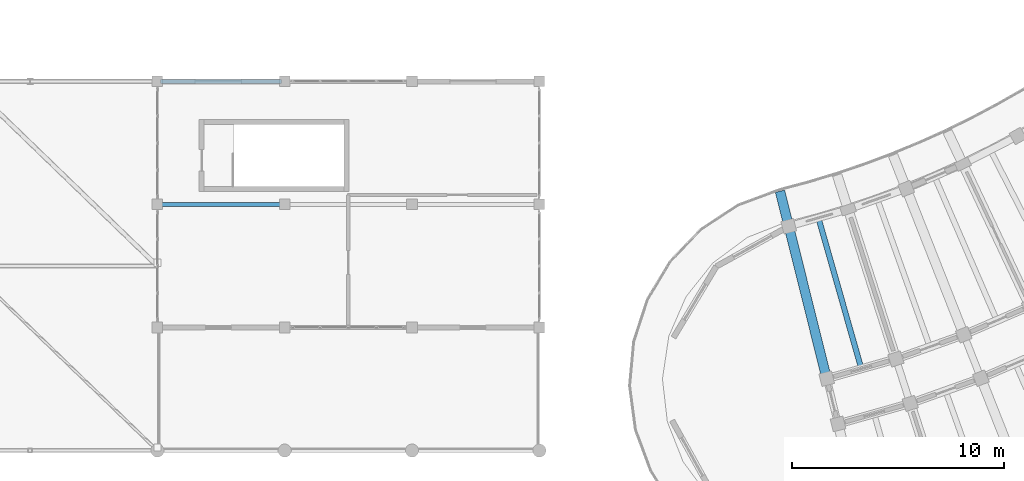
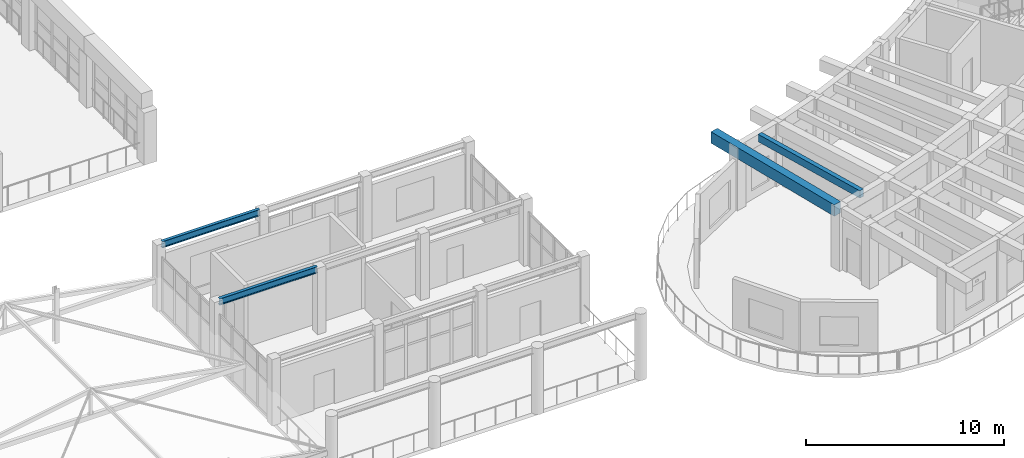
# One storey, part 25 of 128: 4 beams.
"""IFC4 building model written with IfcOpenShell, lengths in metres."""

from ifc_helpers import new_model, si_unit, direction, frame, origin, origin_2d, place, context, subcontext, project, spatial, rectangle, i_section, extrude, material, material_profile, profile_set, type_object, element, save


model = new_model("IFC4")

# Units and contexts
model_context = context("Model", 3, precision=1e-05, world=origin(), true_north=direction((0.0, 1.0)))
body_context = subcontext(model_context, "Body", "Model", "MODEL_VIEW")
ifc_project = project(units=[si_unit("LENGTHUNIT", "METRE"), si_unit("AREAUNIT", "SQUARE_METRE"), si_unit("VOLUMEUNIT", "CUBIC_METRE"), si_unit("PLANEANGLEUNIT", "RADIAN"), si_unit("MASSUNIT", "GRAM", prefix="KILO")], contexts=[model_context])

# Site, building, storey
site_placement = place(None, origin())
site = spatial("IfcSite", under=ifc_project, at=site_placement, CompositionType="ELEMENT")
building_placement = place(site_placement, origin())
building = spatial("IfcBuilding", under=site, at=building_placement, Name="Tanwirah Colonnade Gardens", CompositionType="ELEMENT")
storey_placement = place(building_placement, frame((0.0, 0.0, 4.760009765625)))
storey = spatial("IfcBuildingStorey", under=building, at=storey_placement, Name="L01", CompositionType="ELEMENT", Elevation=4.760009765625)

# Beams
ifc_material_1 = material(Name="Precast concrete C45/55", Category="concrete")
ifc_material_profile_1 = material_profile(ifc_material_1, rectangle(XDim=0.449951171875, YDim=0.699951171875, at=origin_2d()), Name="PC-BM 450x700")
ifc_profile_set_1 = profile_set([ifc_material_profile_1], Name="Precast concrete C45/55")
beam_type_1 = type_object("IfcBeamType", Name="BM-PC450", PredefinedType="BEAM", material=ifc_profile_set_1)
beam_1_placement = place(storey_placement, frame((133.50732421875, 14.335693359375, 3.47509765625), z_axis=(-0.241932243826, 0.970293146115, 0.0), x_axis=(-0.970293146115, -0.241932243826, 0.0)))
element("IfcBeam", 1, at=beam_1_placement, inside=storey, type_object=beam_type_1, Name="Block D L01 Inner Radial Precast Girder 0", PredefinedType="BEAM", context=body_context, shape_type="SweptSolid", body=[
    extrude(rectangle(XDim=0.449951171875, YDim=0.699951171875, at=origin_2d()), origin(), (0.0, 0.0, 1.0), 8.949951171875),
])
ifc_material_2 = material(Name="Precast concrete C40/50", Category="concrete")
ifc_material_profile_2 = material_profile(ifc_material_2, rectangle(XDim=0.2548828125, YDim=0.455078125, at=origin_2d()), Name="PC-JST 255x455")
ifc_profile_set_2 = profile_set([ifc_material_profile_2], Name="Precast concrete C40/50")
beam_type_2 = type_object("IfcBeamType", Name="JST-PC240", PredefinedType="JOIST", material=ifc_profile_set_2)
beam_2_placement = place(storey_placement, frame((133.191650390625, 21.6298828125, 3.597412109375), z_axis=(0.273532000762, -0.961862903204, 0.0), x_axis=(0.961862903204, 0.273532000762, 0.0)))
element("IfcBeam", 2, at=beam_2_placement, inside=storey, type_object=beam_type_2, Name="Block D L01 Inner Precast Floor Joist 0", PredefinedType="JOIST", context=body_context, shape_type="SweptSolid", body=[
    extrude(rectangle(XDim=0.2548828125, YDim=0.455078125, at=origin_2d()), origin(), (0.0, 0.0, 1.0), 7.159912109375),
])
ifc_material_3 = material(Name="Steel S355", Category="steel")
ifc_material_profile_3 = material_profile(ifc_material_3, i_section(OverallWidth=0.179931640625, OverallDepth=0.39990234375, WebThickness=0.008544921875, FlangeThickness=0.013427734375, at=origin_2d()), Name="IPE 400")
ifc_profile_set_3 = profile_set([ifc_material_profile_3], Name="Steel S355")
beam_type_3 = type_object("IfcBeamType", Name="SBM-IPE330", PredefinedType="BEAM", material=ifc_profile_set_3)
for number, where, z_axis, x_axis, name in (
    (3, (102.14990234375, 22.39990234375, 3.8798828125), (1.0, 0.0, 0.0), (0.0, 1.0, 0.0), "Boulevard Shops E L01 Beam 0.2"),
    (4, (102.14990234375, 28.199951171875, 3.8798828125), (1.0, 0.0, 0.0), (0.0, 1.0, 0.0), "Boulevard Shops E L01 Beam 0.3"),
):
    element("IfcBeam", number, at=place(storey_placement, frame(where, z_axis=z_axis, x_axis=x_axis)), inside=storey, type_object=beam_type_3, Name=name, PredefinedType="BEAM", context=body_context, shape_type="SweptSolid", body=[
        extrude(i_section(OverallWidth=0.179931640625, OverallDepth=0.39990234375, WebThickness=0.008544921875, FlangeThickness=0.013427734375, at=origin_2d()), origin(), (0.0, 0.0, 1.0), 5.7001953125),
    ])

save(model, "model.ifc")
